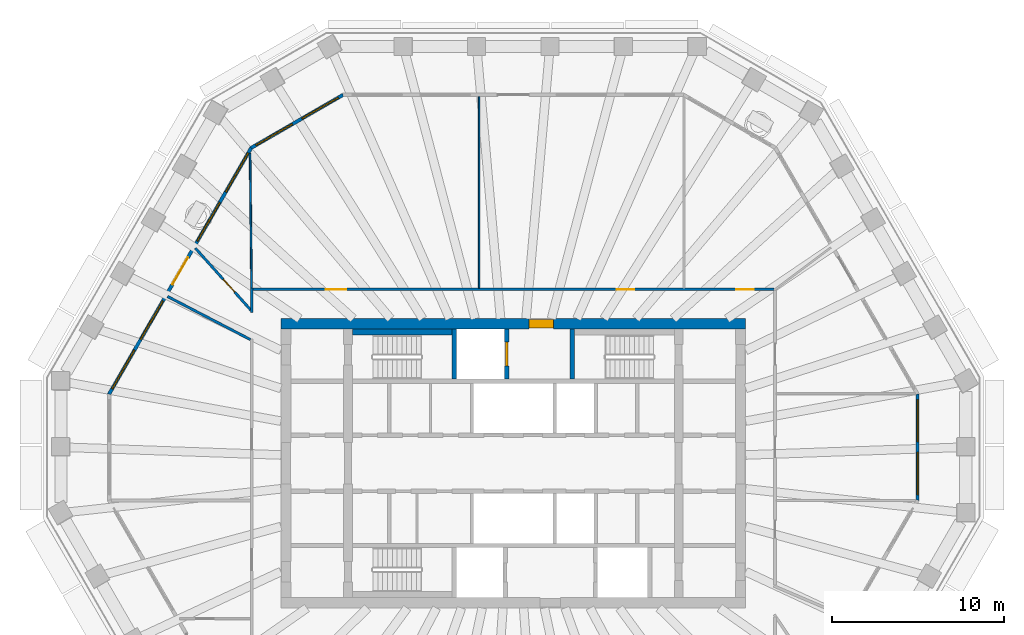
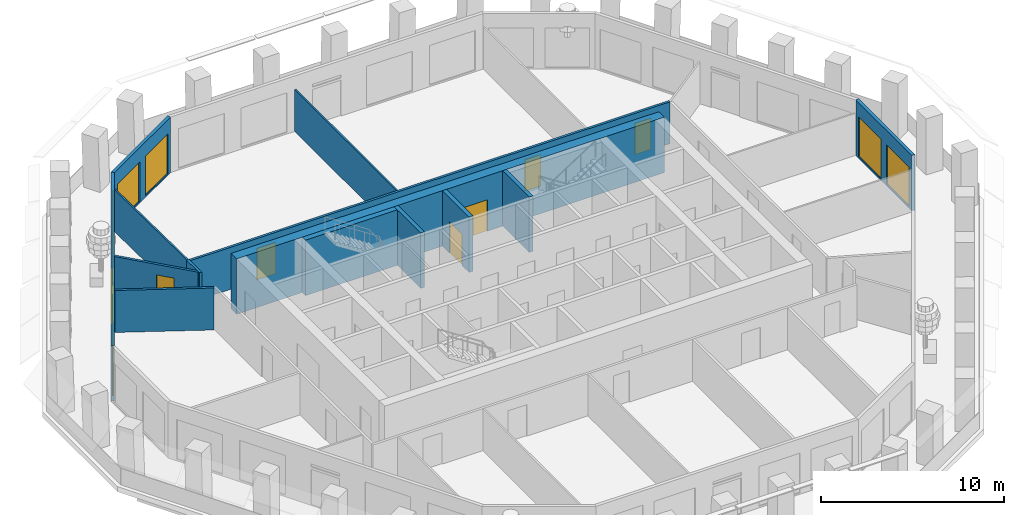
# One storey, part 7 of 12: 14 walls, 9 windows, 7 doors, 16 openings.
"""IFC4 building model written with IfcOpenShell, lengths in metres."""

from ifc_helpers import new_model, si_unit, direction, frame, frame_2d, origin, place, context, subcontext, project, spatial, polyline, rectangle, outline, extrude, material, layer, layer_set, type_object, element, fill, save


model = new_model("IFC4")

# Units and contexts
model_context = context("Model", 3, precision=1e-05, world=origin(), true_north=direction((0.0, 1.0)))
body_context = subcontext(model_context, "Body", "Model", "MODEL_VIEW")
ifc_project = project(units=[si_unit("LENGTHUNIT", "METRE"), si_unit("AREAUNIT", "SQUARE_METRE"), si_unit("VOLUMEUNIT", "CUBIC_METRE"), si_unit("PLANEANGLEUNIT", "RADIAN"), si_unit("MASSUNIT", "GRAM", prefix="KILO")], contexts=[model_context])

# Site, building, storey
site_placement = place(None, origin())
site = spatial("IfcSite", under=ifc_project, at=site_placement, CompositionType="ELEMENT")
building_placement = place(site_placement, origin())
building = spatial("IfcBuilding", under=site, at=building_placement, Name="Frailejon Research Tower", CompositionType="ELEMENT")
storey_placement = place(building_placement, frame((0.0, 0.0, 241.39990234375)))
storey = spatial("IfcBuildingStorey", under=building, at=storey_placement, Name="L52", CompositionType="ELEMENT", Elevation=241.39990234375)

# Wall, opening, door
ifc_material_1 = material(Name="Concrete C60/75", Category="concrete")
ifc_layer_1 = layer(ifc_material_1, 0.60009765625)
ifc_layer_set_1 = layer_set([ifc_layer_1], Name="Core shear wall 600 C60/75")
wall_type_1 = type_object("IfcWallType", Name="Core shear wall 600 C60/75", PredefinedType="SHEAR", material=ifc_layer_set_1)
wall_1_placement = place(storey_placement, frame((-13.5, 8.10009765625, 0.0), z_axis=(0.0, 0.0, 1.0), x_axis=(1.0, 0.0, 0.0)))
wall_1 = element("IfcWall", 1, at=wall_1_placement, inside=storey, type_object=wall_type_1, Name="Core shear wall", PredefinedType="SHEAR", context=body_context, shape_type="SweptSolid", body=[
    extrude(rectangle(XDim=27.0, YDim=0.60009765625, at=frame_2d((13.5, 0.0))), origin(), (0.0, 0.0, 1.0), 3.7001953125),
])
opening_1_placement = place(wall_1_placement, frame((14.425048828125, 0.0, 0.0)))
opening_1 = element("IfcOpeningElement", 2, at=opening_1_placement, cuts=wall_1, Name="Opening D9", PredefinedType="OPENING", context=body_context, shape_type="SweptSolid", body=[
    extrude(rectangle(XDim=1.39990234375, YDim=2.10009765625, at=frame_2d((0.699951171875, 1.050048828125))), frame((0.0, 0.31005859375, 0.0), z_axis=(0.0, -1.0, 0.0), x_axis=(1.0, 0.0, 0.0)), (0.0, 0.0, 1.0), 0.6201171875),
])
ifc_material_2 = material(Name="Steel", Category="steel")
door_type_1 = type_object("IfcDoorType", Name="Goods lobby door", OperationType="DOUBLE_DOOR_SINGLE_SWING", PredefinedType="DOOR", material=ifc_material_2)
door_1_placement = place(opening_1_placement, origin())
door_1 = element("IfcDoor", 3, at=door_1_placement, inside=storey, type_object=door_type_1, Name="Goods lobby door", OperationType="DOUBLE_DOOR_SINGLE_SWING", OverallHeight=2.10009765625, OverallWidth=1.39990234375, PredefinedType="DOOR", context=body_context, shape_type="SweptSolid", body=[
    extrude(rectangle(XDim=1.39990234375, YDim=2.10009765625, at=frame_2d((0.699951171875, 1.050048828125))), frame((0.0, 0.25, 0.0), z_axis=(0.0, -1.0, 0.0), x_axis=(1.0, 0.0, 0.0)), (0.0, 0.0, 1.0), 0.5),
])
fill(opening_1, door_1)

ifc_material_3 = material(Name="Gypsum board and masonry partition", Category="masonry")
ifc_layer_2 = layer(ifc_material_3, 0.14990234375)
ifc_layer_set_2 = layer_set([ifc_layer_2], Name="Corridor wall EI 60, gypsum on steel studs 150")
wall_type_2 = type_object("IfcWallType", Name="Corridor wall EI 60, gypsum on steel studs 150", PredefinedType="PARTITIONING", material=ifc_layer_set_2)
wall_2_placement = place(storey_placement, frame((-18.467041015625, 12.49951171875, 0.0), z_axis=(0.0, 0.0, 1.0), x_axis=(0.667001980811, -0.745055942594, 0.0)))
wall_2 = element("IfcWall", 4, at=wall_2_placement, inside=storey, type_object=wall_type_2, Name="T:IW:L52:001", PredefinedType="PARTITIONING", context=body_context, shape_type="SweptSolid", body=[
    extrude(rectangle(XDim=4.8232421875, YDim=0.14990234375, at=frame_2d((2.41162109375, 0.0))), origin(), (0.0, 0.0, 1.0), 2.800048828125),
])
opening_2_placement = place(wall_2_placement, frame((2.428955078125, 0.0, 0.0)))
opening_2 = element("IfcOpeningElement", 5, at=opening_2_placement, cuts=wall_2, Name="Opening D2026", PredefinedType="OPENING", context=body_context, shape_type="SweptSolid", body=[
    extrude(rectangle(XDim=1.0, YDim=2.10009765625, at=frame_2d((0.5, 1.050048828125))), frame((0.0, 0.0849609375, 0.0), z_axis=(0.0, -1.0, 0.0), x_axis=(1.0, 0.0, 0.0)), (0.0, 0.0, 1.0), 0.169921875),
])
ifc_material_4 = material(Name="Timber door leaf", Category="wood")
door_type_2 = type_object("IfcDoorType", Name="Door single leaf, timber, steel frame 1000", OperationType="NOTDEFINED", PredefinedType="DOOR", material=ifc_material_4)
door_2_placement = place(opening_2_placement, origin())
door_2 = element("IfcDoor", 6, at=door_2_placement, inside=storey, type_object=door_type_2, Name="D2026", OperationType="SINGLE_SWING_RIGHT", OverallHeight=2.10009765625, OverallWidth=1.0, PredefinedType="DOOR", context=body_context, shape_type="SweptSolid", body=[
    extrude(rectangle(XDim=1.0, YDim=2.10009765625, at=frame_2d((0.5, 1.050048828125))), frame((0.0, 0.02490234375, 0.0), z_axis=(0.0, -1.0, 0.0), x_axis=(1.0, 0.0, 0.0)), (0.0, 0.0, 1.0), 0.050048828125),
])
fill(opening_2, door_2)

# Wall
wall_3_placement = place(storey_placement, frame((-20.0869140625, 9.69384765625, 0.0), z_axis=(0.0, 0.0, 1.0), x_axis=(0.887012228778, -0.461745932303, 0.0)))
element("IfcWall", 7, at=wall_3_placement, inside=storey, type_object=wall_type_2, Name="T:IW:L52:002", PredefinedType="PARTITIONING", context=body_context, shape_type="SweptSolid", body=[
    extrude(rectangle(XDim=5.434326171875, YDim=0.14990234375, at=frame_2d((2.71728515625, 0.0))), origin(), (0.0, 0.0, 1.0), 2.800048828125),
])

# Wall, openings, doors
wall_4_placement = place(storey_placement, frame((-15.125, 10.10009765625, 0.0), z_axis=(0.0, 0.0, 1.0), x_axis=(1.0, 0.0, 0.0)))
wall_4 = element("IfcWall", 8, at=wall_4_placement, inside=storey, type_object=wall_type_2, Name="T:IW:L52:005", PredefinedType="PARTITIONING", context=body_context, shape_type="SweptSolid", body=[
    extrude(rectangle(XDim=30.27490234375, YDim=0.14990234375, at=frame_2d((15.137451171875, 0.0))), origin(), (0.0, 0.0, 1.0), 2.800048828125),
])
opening_3_placement = place(wall_4_placement, frame((28.07958984375, 0.0, 0.0)))
opening_3 = element("IfcOpeningElement", 9, at=opening_3_placement, cuts=wall_4, Name="Opening D2023", PredefinedType="OPENING", context=body_context, shape_type="SweptSolid", body=[
    extrude(rectangle(XDim=1.0, YDim=2.10009765625, at=frame_2d((0.5, 1.050048828125))), frame((0.0, 0.0849609375, 0.0), z_axis=(0.0, -1.0, 0.0), x_axis=(1.0, 0.0, 0.0)), (0.0, 0.0, 1.0), 0.169921875),
])
opening_4_placement = place(wall_4_placement, frame((21.142822265625, 0.0, 0.0)))
opening_4 = element("IfcOpeningElement", 10, at=opening_4_placement, cuts=wall_4, Name="Opening D2024", PredefinedType="OPENING", context=body_context, shape_type="SweptSolid", body=[
    extrude(rectangle(XDim=1.0, YDim=2.10009765625, at=frame_2d((0.5, 1.050048828125))), frame((0.0, 0.0849609375, 0.0), z_axis=(0.0, -1.0, 0.0), x_axis=(1.0, 0.0, 0.0)), (0.0, 0.0, 1.0), 0.169921875),
])
opening_5_placement = place(wall_4_placement, frame((4.235595703125, 0.0, 0.0)))
opening_5 = element("IfcOpeningElement", 11, at=opening_5_placement, cuts=wall_4, Name="Opening D2025", PredefinedType="OPENING", context=body_context, shape_type="SweptSolid", body=[
    extrude(rectangle(XDim=1.199951171875, YDim=2.10009765625, at=frame_2d((0.60009765625, 1.050048828125))), frame((0.0, 0.0849609375, 0.0), z_axis=(0.0, -1.0, 0.0), x_axis=(1.0, 0.0, 0.0)), (0.0, 0.0, 1.0), 0.169921875),
])
door_3_placement = place(opening_3_placement, origin())
door_3 = element("IfcDoor", 12, at=door_3_placement, inside=storey, type_object=door_type_2, Name="D2023", OperationType="SINGLE_SWING_LEFT", OverallHeight=2.10009765625, OverallWidth=1.0, PredefinedType="DOOR", context=body_context, shape_type="SweptSolid", body=[
    extrude(rectangle(XDim=1.0, YDim=2.10009765625, at=frame_2d((0.5, 1.050048828125))), frame((0.0, 0.02490234375, 0.0), z_axis=(0.0, -1.0, 0.0), x_axis=(1.0, 0.0, 0.0)), (0.0, 0.0, 1.0), 0.050048828125),
])
fill(opening_3, door_3)
door_4_placement = place(opening_4_placement, origin())
door_4 = element("IfcDoor", 13, at=door_4_placement, inside=storey, type_object=door_type_2, Name="D2024", OperationType="SINGLE_SWING_LEFT", OverallHeight=2.10009765625, OverallWidth=1.0, PredefinedType="DOOR", context=body_context, shape_type="SweptSolid", body=[
    extrude(rectangle(XDim=1.0, YDim=2.10009765625, at=frame_2d((0.5, 1.050048828125))), frame((0.0, 0.02490234375, 0.0), z_axis=(0.0, -1.0, 0.0), x_axis=(1.0, 0.0, 0.0)), (0.0, 0.0, 1.0), 0.050048828125),
])
fill(opening_4, door_4)
ifc_material_5 = material(Name="Timber door leaf", Category="wood")
door_type_3 = type_object("IfcDoorType", Name="Door single leaf, timber, steel frame 1200", OperationType="NOTDEFINED", PredefinedType="DOOR", material=ifc_material_5)
door_5_placement = place(opening_5_placement, origin())
door_5 = element("IfcDoor", 14, at=door_5_placement, inside=storey, type_object=door_type_3, Name="D2025", OperationType="DOUBLE_DOOR_SINGLE_SWING", OverallHeight=2.10009765625, OverallWidth=1.199951171875, PredefinedType="DOOR", context=body_context, shape_type="SweptSolid", body=[
    extrude(rectangle(XDim=1.199951171875, YDim=2.10009765625, at=frame_2d((0.60009765625, 1.050048828125))), frame((0.0, 0.02490234375, 0.0), z_axis=(0.0, -1.0, 0.0), x_axis=(1.0, 0.0, 0.0)), (0.0, 0.0, 1.0), 0.050048828125),
])
fill(opening_5, door_5)

# Walls
wall_5_placement = place(storey_placement, frame((-15.199951171875, 8.77490234375, 0.0), z_axis=(0.0, 0.0, 1.0), x_axis=(0.0, 1.0, 0.0)))
element("IfcWall", 15, at=wall_5_placement, inside=storey, type_object=wall_type_2, Name="T:IW:L52:007", PredefinedType="PARTITIONING", context=body_context, shape_type="SweptSolid", body=[
    extrude(rectangle(XDim=1.400146484375, YDim=0.14990234375, at=frame_2d((0.7001953125, 0.0))), origin(), (0.0, 0.0, 1.0), 2.800048828125),
])
ifc_material_6 = material(Name="Gypsum board and masonry partition", Category="masonry")
ifc_layer_3 = layer(ifc_material_6, 0.10009765625)
ifc_layer_set_3 = layer_set([ifc_layer_3], Name="Partition, gypsum on steel studs 100")
wall_type_3 = type_object("IfcWallType", Name="Partition, gypsum on steel studs 100", PredefinedType="PARTITIONING", material=ifc_layer_set_3)
wall_6_placement = place(storey_placement, frame((-1.983642578125, 10.175048828125, 0.0), z_axis=(0.0, 0.0, 1.0), x_axis=(0.0, 1.0, 0.0)))
element("IfcWall", 16, at=wall_6_placement, inside=storey, type_object=wall_type_3, Name="T:IW:L52:018", PredefinedType="PARTITIONING", context=body_context, shape_type="SweptSolid", body=[
    extrude(rectangle(XDim=11.125, YDim=0.10009765625, at=frame_2d((5.5625, 0.0))), origin(), (0.0, 0.0, 1.0), 2.800048828125),
])
wall_7_placement = place(storey_placement, frame((-15.288818359375, 18.00439453125, 0.0), z_axis=(0.0, 0.0, 1.0), x_axis=(0.011228027955, -0.999936963707, 0.0)))
element("IfcWall", 17, at=wall_7_placement, inside=storey, type_object=wall_type_3, Name="T:IW:L52:019", PredefinedType="PARTITIONING", context=body_context, shape_type="SweptSolid", body=[
    extrude(rectangle(XDim=7.97998046875, YDim=0.10009765625, at=frame_2d((3.989990234375, 0.0))), origin(), (0.0, 0.0, 1.0), 2.800048828125),
])
ifc_material_7 = material(Name="Concrete C60/75", Category="concrete")
ifc_layer_4 = layer(ifc_material_7, 0.25)
ifc_layer_set_4 = layer_set([ifc_layer_4], Name="Shaft wall 250 C60/75")
wall_type_4 = type_object("IfcWallType", Name="Shaft wall 250 C60/75", PredefinedType="SOLIDWALL", material=ifc_layer_set_4)
wall_8_placement = place(storey_placement, frame((-3.425048828125, 4.89990234375, 0.0), z_axis=(0.0, 0.0, 1.0), x_axis=(0.0, 1.0, 0.0)))
element("IfcWall", 18, at=wall_8_placement, inside=storey, type_object=wall_type_4, Name="Shaft wall", PredefinedType="SOLIDWALL", context=body_context, shape_type="SweptSolid", body=[
    extrude(rectangle(XDim=2.900146484375, YDim=0.25, at=frame_2d((1.4501953125, 0.0))), origin(), (0.0, 0.0, 1.0), 3.7001953125),
])

# Wall, opening, door
wall_9_placement = place(storey_placement, frame((-0.375, 4.89990234375, 0.0), z_axis=(0.0, 0.0, 1.0), x_axis=(0.0, 1.0, 0.0)))
wall_9 = element("IfcWall", 19, at=wall_9_placement, inside=storey, type_object=wall_type_4, Name="Shaft wall", PredefinedType="SOLIDWALL", context=body_context, shape_type="SweptSolid", body=[
    extrude(rectangle(XDim=2.900146484375, YDim=0.25, at=frame_2d((1.4501953125, 0.0))), origin(), (0.0, 0.0, 1.0), 3.7001953125),
])
opening_6_placement = place(wall_9_placement, frame((0.75, 0.0, 0.0)))
opening_6 = element("IfcOpeningElement", 20, at=opening_6_placement, cuts=wall_9, Name="Opening LD2", PredefinedType="OPENING", context=body_context, shape_type="SweptSolid", body=[
    extrude(rectangle(XDim=1.39990234375, YDim=2.10009765625, at=frame_2d((0.699951171875, 1.050048828125))), frame((0.0, 0.135009765625, 0.0), z_axis=(0.0, -1.0, 0.0), x_axis=(1.0, 0.0, 0.0)), (0.0, 0.0, 1.0), 0.27001953125),
])
ifc_material_8 = material(Name="Stainless steel", Category="steel")
door_type_4 = type_object("IfcDoorType", Name="Goods landing door", OperationType="DOUBLE_DOOR_SLIDING", PredefinedType="DOOR", material=ifc_material_8)
door_6_placement = place(opening_6_placement, origin())
door_6 = element("IfcDoor", 21, at=door_6_placement, inside=storey, type_object=door_type_4, Name="Lift landing door", OperationType="DOUBLE_DOOR_SLIDING", OverallHeight=2.10009765625, OverallWidth=1.39990234375, PredefinedType="DOOR", context=body_context, shape_type="SweptSolid", body=[
    extrude(rectangle(XDim=1.39990234375, YDim=2.10009765625, at=frame_2d((0.699951171875, 1.050048828125))), frame((0.0, 0.074951171875, 0.0), z_axis=(0.0, -1.0, 0.0), x_axis=(1.0, 0.0, 0.0)), (0.0, 0.0, 1.0), 0.14990234375),
])
fill(opening_6, door_6)

# Walls
wall_10_placement = place(storey_placement, frame((3.425048828125, 4.89990234375, 0.0), z_axis=(0.0, 0.0, 1.0), x_axis=(0.0, 1.0, 0.0)))
element("IfcWall", 22, at=wall_10_placement, inside=storey, type_object=wall_type_4, Name="Shaft wall", PredefinedType="SOLIDWALL", context=body_context, shape_type="SweptSolid", body=[
    extrude(rectangle(XDim=2.900146484375, YDim=0.25, at=frame_2d((1.4501953125, 0.0))), origin(), (0.0, 0.0, 1.0), 3.7001953125),
])
ifc_material_9 = material(Name="Concrete C60/75", Category="concrete")
ifc_layer_5 = layer(ifc_material_9, 0.35009765625)
ifc_layer_set_5 = layer_set([ifc_layer_5], Name="Shaft wall 350 C60/75")
wall_type_5 = type_object("IfcWallType", Name="Shaft wall 350 C60/75", PredefinedType="SOLIDWALL", material=ifc_layer_set_5)
wall_11_placement = place(storey_placement, frame((-9.35009765625, 7.625, 0.0), z_axis=(0.0, 0.0, 1.0), x_axis=(1.0, 0.0, 0.0)))
element("IfcWall", 23, at=wall_11_placement, inside=storey, type_object=wall_type_5, Name="Shaft wall", PredefinedType="SOLIDWALL", context=body_context, shape_type="SweptSolid", body=[
    extrude(rectangle(XDim=5.800048828125, YDim=0.35009765625, at=frame_2d((2.89990234375, 0.0))), origin(), (0.0, 0.0, 1.0), 3.7001953125),
])

# Wall, openings, windows
ifc_material_10 = material(Name="Concrete C40/50 precast window wall panel", Category="concrete")
ifc_layer_6 = layer(ifc_material_10, 0.199951171875)
ifc_layer_set_6 = layer_set([ifc_layer_6], Name="Window wall 200")
wall_type_6 = type_object("IfcWallType", Name="Window wall 200", PredefinedType="SOLIDWALL", material=ifc_layer_set_6)
wall_12_placement = place(storey_placement, frame((23.478759765625, -2.1337890625, 0.0), z_axis=(0.0, 0.0, 1.0), x_axis=(0.0, 1.0, 0.0)))
wall_12 = element("IfcWall", 24, at=wall_12_placement, inside=storey, type_object=wall_type_6, Name="Exterior wall L52", PredefinedType="SOLIDWALL", context=body_context, shape_type="SweptSolid", body=[
    extrude(outline(polyline([(-0.02685546875, -0.10009765625), (1.007568359375, -0.10009765625), (2.0419921875, -0.10009765625), (3.07666015625, -0.10009765625), (4.111083984375, -0.10009765625), (5.1455078125, -0.10009765625), (6.179931640625, -0.10009765625), (6.126220703125, 0.10009765625), (5.109619140625, 0.10009765625), (4.093017578125, 0.10009765625), (3.07666015625, 0.10009765625), (2.06005859375, 0.10009765625), (1.04345703125, 0.10009765625), (0.02685546875, 0.10009765625), (-0.02685546875, -0.10009765625)])), origin(), (0.0, 0.0, 1.0), 3.7001953125),
])
opening_7_placement = place(wall_12_placement, frame((0.313232421875, 0.0, 0.10009765625)))
opening_7 = element("IfcOpeningElement", 25, at=opening_7_placement, cuts=wall_12, Name="Opening W17", PredefinedType="OPENING", context=body_context, shape_type="SweptSolid", body=[
    extrude(rectangle(XDim=2.449951171875, YDim=2.64990234375, at=frame_2d((1.22509765625, 1.324951171875))), frame((0.0, 0.10986328125, 0.0), z_axis=(0.0, -1.0, 0.0), x_axis=(1.0, 0.0, 0.0)), (0.0, 0.0, 1.0), 0.219970703125),
])
opening_8_placement = place(wall_12_placement, frame((3.3896484375, 0.0, 0.10009765625)))
opening_8 = element("IfcOpeningElement", 26, at=opening_8_placement, cuts=wall_12, Name="Opening W17", PredefinedType="OPENING", context=body_context, shape_type="SweptSolid", body=[
    extrude(rectangle(XDim=2.449951171875, YDim=2.64990234375, at=frame_2d((1.22509765625, 1.324951171875))), frame((0.0, 0.10986328125, 0.0), z_axis=(0.0, -1.0, 0.0), x_axis=(1.0, 0.0, 0.0)), (0.0, 0.0, 1.0), 0.219970703125),
])
ifc_material_11 = material(Name="Aluminium framed double glazing", Category="aluminium")
window_type_1 = type_object("IfcWindowType", Name="Window 2450x2650", PartitioningType="SINGLE_PANEL", PredefinedType="WINDOW", material=ifc_material_11)
window_1_placement = place(opening_7_placement, origin())
window_1 = element("IfcWindow", 27, at=window_1_placement, inside=storey, type_object=window_type_1, Name="Window L52", OverallHeight=2.64990234375, OverallWidth=2.449951171875, PartitioningType="SINGLE_PANEL", PredefinedType="WINDOW", context=body_context, shape_type="SweptSolid", body=[
    extrude(rectangle(XDim=2.449951171875, YDim=2.64990234375, at=frame_2d((1.22509765625, 1.324951171875))), frame((0.0, 0.030029296875, 0.0), z_axis=(0.0, -1.0, 0.0), x_axis=(1.0, 0.0, 0.0)), (0.0, 0.0, 1.0), 0.06005859375),
])
fill(opening_7, window_1)
window_2_placement = place(opening_8_placement, origin())
window_2 = element("IfcWindow", 28, at=window_2_placement, inside=storey, type_object=window_type_1, Name="Window L52", OverallHeight=2.64990234375, OverallWidth=2.449951171875, PartitioningType="SINGLE_PANEL", PredefinedType="WINDOW", context=body_context, shape_type="SweptSolid", body=[
    extrude(rectangle(XDim=2.449951171875, YDim=2.64990234375, at=frame_2d((1.22509765625, 1.324951171875))), frame((0.0, 0.030029296875, 0.0), z_axis=(0.0, -1.0, 0.0), x_axis=(1.0, 0.0, 0.0)), (0.0, 0.0, 1.0), 0.06005859375),
])
fill(opening_8, window_2)

wall_13_placement = place(storey_placement, frame((-9.8916015625, 21.39990234375, 0.0), z_axis=(0.0, 0.0, 1.0), x_axis=(-0.866029647142, -0.499992650217, 0.0)))
wall_13 = element("IfcWall", 29, at=wall_13_placement, inside=storey, type_object=wall_type_6, Name="Exterior wall L52", PredefinedType="SOLIDWALL", context=body_context, shape_type="SweptSolid", body=[
    extrude(outline(polyline([(-0.02685546875, -0.10009765625), (1.007568359375, -0.10009765625), (2.0419921875, -0.10009765625), (3.076416015625, -0.10009765625), (4.11083984375, -0.10009765625), (5.145263671875, -0.10009765625), (6.1796875, -0.10009765625), (6.1259765625, 0.10009765625), (5.109375, 0.10009765625), (4.093017578125, 0.10009765625), (3.076416015625, 0.10009765625), (2.059814453125, 0.10009765625), (1.04345703125, 0.10009765625), (0.02685546875, 0.10009765625), (-0.02685546875, -0.10009765625)])), origin(), (0.0, 0.0, 1.0), 3.7001953125),
])
opening_9_placement = place(wall_13_placement, frame((0.313232421875, 0.0, 0.10009765625)))
opening_9 = element("IfcOpeningElement", 30, at=opening_9_placement, cuts=wall_13, Name="Opening W17", PredefinedType="OPENING", context=body_context, shape_type="SweptSolid", body=[
    extrude(rectangle(XDim=2.449951171875, YDim=2.64990234375, at=frame_2d((1.22509765625, 1.324951171875))), frame((0.0, 0.10986328125, 0.0), z_axis=(0.0, -1.0, 0.0), x_axis=(1.0, 0.0, 0.0)), (0.0, 0.0, 1.0), 0.219970703125),
])
opening_10_placement = place(wall_13_placement, frame((3.3896484375, 0.0, 0.10009765625)))
opening_10 = element("IfcOpeningElement", 31, at=opening_10_placement, cuts=wall_13, Name="Opening W17", PredefinedType="OPENING", context=body_context, shape_type="SweptSolid", body=[
    extrude(rectangle(XDim=2.449951171875, YDim=2.64990234375, at=frame_2d((1.22509765625, 1.324951171875))), frame((0.0, 0.10986328125, 0.0), z_axis=(0.0, -1.0, 0.0), x_axis=(1.0, 0.0, 0.0)), (0.0, 0.0, 1.0), 0.219970703125),
])
window_3_placement = place(opening_9_placement, origin())
window_3 = element("IfcWindow", 32, at=window_3_placement, inside=storey, type_object=window_type_1, Name="Window L52", OverallHeight=2.64990234375, OverallWidth=2.449951171875, PartitioningType="SINGLE_PANEL", PredefinedType="WINDOW", context=body_context, shape_type="SweptSolid", body=[
    extrude(rectangle(XDim=2.449951171875, YDim=2.64990234375, at=frame_2d((1.22509765625, 1.324951171875))), frame((0.0, 0.030029296875, 0.0), z_axis=(0.0, -1.0, 0.0), x_axis=(1.0, 0.0, 0.0)), (0.0, 0.0, 1.0), 0.06005859375),
])
fill(opening_9, window_3)
window_4_placement = place(opening_10_placement, origin())
window_4 = element("IfcWindow", 33, at=window_4_placement, inside=storey, type_object=window_type_1, Name="Window L52", OverallHeight=2.64990234375, OverallWidth=2.449951171875, PartitioningType="SINGLE_PANEL", PredefinedType="WINDOW", context=body_context, shape_type="SweptSolid", body=[
    extrude(rectangle(XDim=2.449951171875, YDim=2.64990234375, at=frame_2d((1.22509765625, 1.324951171875))), frame((0.0, 0.030029296875, 0.0), z_axis=(0.0, -1.0, 0.0), x_axis=(1.0, 0.0, 0.0)), (0.0, 0.0, 1.0), 0.06005859375),
])
fill(opening_10, window_4)

# Wall, openings, door, windows
wall_14_placement = place(storey_placement, frame((-15.22021484375, 18.323486328125, 0.0), z_axis=(0.0, 0.0, 1.0), x_axis=(-0.500000529106, -0.866025098304, 0.0)))
wall_14 = element("IfcWall", 34, at=wall_14_placement, inside=storey, type_object=wall_type_6, Name="Exterior wall L52", PredefinedType="SOLIDWALL", context=body_context, shape_type="SweptSolid", body=[
    extrude(outline(polyline([(-0.02685546875, -0.10009765625), (1.0087890625, -0.10009765625), (2.04443359375, -0.10009765625), (3.080078125, -0.10009765625), (4.11572265625, -0.10009765625), (5.151611328125, -0.10009765625), (6.187255859375, -0.10009765625), (7.222900390625, -0.10009765625), (8.258544921875, -0.10009765625), (9.294189453125, -0.10009765625), (10.329833984375, -0.10009765625), (11.365478515625, -0.10009765625), (12.4013671875, -0.10009765625), (13.43701171875, -0.10009765625), (14.47265625, -0.10009765625), (15.50830078125, -0.10009765625), (16.5439453125, -0.10009765625), (16.490234375, 0.10009765625), (15.461181640625, 0.10009765625), (14.432373046875, 0.10009765625), (13.4033203125, 0.10009765625), (12.37451171875, 0.10009765625), (11.345458984375, 0.10009765625), (10.31640625, 0.10009765625), (9.28759765625, 0.10009765625), (8.258544921875, 0.10009765625), (7.2294921875, 0.10009765625), (6.20068359375, 0.10009765625), (5.171630859375, 0.10009765625), (4.142578125, 0.10009765625), (3.11376953125, 0.10009765625), (2.084716796875, 0.10009765625), (1.055908203125, 0.10009765625), (0.02685546875, 0.10009765625), (-0.02685546875, -0.10009765625)])), origin(), (0.0, 0.0, 1.0), 3.7001953125),
])
opening_11_placement = place(wall_14_placement, frame((0.351806640625, 0.0, 0.10009765625)))
opening_11 = element("IfcOpeningElement", 35, at=opening_11_placement, cuts=wall_14, Name="Opening W18", PredefinedType="OPENING", context=body_context, shape_type="SweptSolid", body=[
    extrude(rectangle(XDim=2.60009765625, YDim=2.64990234375, at=frame_2d((1.300048828125, 1.324951171875))), frame((0.0, 0.10986328125, 0.0), z_axis=(0.0, -1.0, 0.0), x_axis=(1.0, 0.0, 0.0)), (0.0, 0.0, 1.0), 0.219970703125),
])
opening_12_placement = place(wall_14_placement, frame((3.6552734375, 0.0, 0.10009765625)))
opening_12 = element("IfcOpeningElement", 36, at=opening_12_placement, cuts=wall_14, Name="Opening W18", PredefinedType="OPENING", context=body_context, shape_type="SweptSolid", body=[
    extrude(rectangle(XDim=2.60009765625, YDim=2.64990234375, at=frame_2d((1.300048828125, 1.324951171875))), frame((0.0, 0.10986328125, 0.0), z_axis=(0.0, -1.0, 0.0), x_axis=(1.0, 0.0, 0.0)), (0.0, 0.0, 1.0), 0.219970703125),
])
opening_13_placement = place(wall_14_placement, frame((7.358642578125, 0.0, 0.0)))
opening_13 = element("IfcOpeningElement", 37, at=opening_13_placement, cuts=wall_14, Name="Opening LG52-3", PredefinedType="OPENING", context=body_context, shape_type="SweptSolid", body=[
    extrude(rectangle(XDim=1.800048828125, YDim=2.39990234375, at=frame_2d((0.89990234375, 1.199951171875))), frame((0.0, 0.10986328125, 0.0), z_axis=(0.0, -1.0, 0.0), x_axis=(1.0, 0.0, 0.0)), (0.0, 0.0, 1.0), 0.219970703125),
])
opening_14_placement = place(wall_14_placement, frame((7.358642578125, 0.0, 2.550048828125)))
opening_14 = element("IfcOpeningElement", 38, at=opening_14_placement, cuts=wall_14, Name="Opening W19", PredefinedType="OPENING", context=body_context, shape_type="SweptSolid", body=[
    extrude(rectangle(XDim=1.800048828125, YDim=0.199951171875, at=frame_2d((0.89990234375, 0.10009765625))), frame((0.0, 0.10986328125, 0.0), z_axis=(0.0, -1.0, 0.0), x_axis=(1.0, 0.0, 0.0)), (0.0, 0.0, 1.0), 0.219970703125),
])
opening_15_placement = place(wall_14_placement, frame((10.261962890625, 0.0, 0.10009765625)))
opening_15 = element("IfcOpeningElement", 39, at=opening_15_placement, cuts=wall_14, Name="Opening W18", PredefinedType="OPENING", context=body_context, shape_type="SweptSolid", body=[
    extrude(rectangle(XDim=2.60009765625, YDim=2.64990234375, at=frame_2d((1.300048828125, 1.324951171875))), frame((0.0, 0.10986328125, 0.0), z_axis=(0.0, -1.0, 0.0), x_axis=(1.0, 0.0, 0.0)), (0.0, 0.0, 1.0), 0.219970703125),
])
opening_16_placement = place(wall_14_placement, frame((13.5654296875, 0.0, 0.10009765625)))
opening_16 = element("IfcOpeningElement", 40, at=opening_16_placement, cuts=wall_14, Name="Opening W18", PredefinedType="OPENING", context=body_context, shape_type="SweptSolid", body=[
    extrude(rectangle(XDim=2.60009765625, YDim=2.64990234375, at=frame_2d((1.300048828125, 1.324951171875))), frame((0.0, 0.10986328125, 0.0), z_axis=(0.0, -1.0, 0.0), x_axis=(1.0, 0.0, 0.0)), (0.0, 0.0, 1.0), 0.219970703125),
])
ifc_material_12 = material(Name="Aluminium framed glazed door leaf", Category="aluminium")
door_type_5 = type_object("IfcDoorType", Name="Loggia door 1800x2400", OperationType="DOUBLE_DOOR_SINGLE_SWING", PredefinedType="DOOR", material=ifc_material_12)
door_7_placement = place(opening_13_placement, origin())
door_7 = element("IfcDoor", 41, at=door_7_placement, inside=storey, type_object=door_type_5, Name="Door LG52-3", OperationType="DOUBLE_DOOR_SINGLE_SWING", OverallHeight=2.39990234375, OverallWidth=1.800048828125, PredefinedType="DOOR", context=body_context, shape_type="SweptSolid", body=[
    extrude(rectangle(XDim=1.800048828125, YDim=2.39990234375, at=frame_2d((0.89990234375, 1.199951171875))), frame((0.0, 0.02490234375, 0.0), z_axis=(0.0, -1.0, 0.0), x_axis=(1.0, 0.0, 0.0)), (0.0, 0.0, 1.0), 0.050048828125),
])
fill(opening_13, door_7)
ifc_material_13 = material(Name="Aluminium framed double glazing", Category="aluminium")
window_type_2 = type_object("IfcWindowType", Name="Window 1800x200", PartitioningType="SINGLE_PANEL", PredefinedType="WINDOW", material=ifc_material_13)
window_5_placement = place(opening_14_placement, origin())
window_5 = element("IfcWindow", 42, at=window_5_placement, inside=storey, type_object=window_type_2, Name="Window L52", OverallHeight=0.199951171875, OverallWidth=1.800048828125, PartitioningType="SINGLE_PANEL", PredefinedType="WINDOW", context=body_context, shape_type="SweptSolid", body=[
    extrude(rectangle(XDim=1.800048828125, YDim=0.199951171875, at=frame_2d((0.89990234375, 0.10009765625))), frame((0.0, 0.030029296875, 0.0), z_axis=(0.0, -1.0, 0.0), x_axis=(1.0, 0.0, 0.0)), (0.0, 0.0, 1.0), 0.06005859375),
])
fill(opening_14, window_5)
ifc_material_14 = material(Name="Aluminium framed double glazing", Category="aluminium")
window_type_3 = type_object("IfcWindowType", Name="Window 2600x2650", PartitioningType="SINGLE_PANEL", PredefinedType="WINDOW", material=ifc_material_14)
window_6_placement = place(opening_11_placement, origin())
window_6 = element("IfcWindow", 43, at=window_6_placement, inside=storey, type_object=window_type_3, Name="Window L52", OverallHeight=2.64990234375, OverallWidth=2.60009765625, PartitioningType="SINGLE_PANEL", PredefinedType="WINDOW", context=body_context, shape_type="SweptSolid", body=[
    extrude(rectangle(XDim=2.60009765625, YDim=2.64990234375, at=frame_2d((1.300048828125, 1.324951171875))), frame((0.0, 0.030029296875, 0.0), z_axis=(0.0, -1.0, 0.0), x_axis=(1.0, 0.0, 0.0)), (0.0, 0.0, 1.0), 0.06005859375),
])
fill(opening_11, window_6)
window_7_placement = place(opening_12_placement, origin())
window_7 = element("IfcWindow", 44, at=window_7_placement, inside=storey, type_object=window_type_3, Name="Window L52", OverallHeight=2.64990234375, OverallWidth=2.60009765625, PartitioningType="SINGLE_PANEL", PredefinedType="WINDOW", context=body_context, shape_type="SweptSolid", body=[
    extrude(rectangle(XDim=2.60009765625, YDim=2.64990234375, at=frame_2d((1.300048828125, 1.324951171875))), frame((0.0, 0.030029296875, 0.0), z_axis=(0.0, -1.0, 0.0), x_axis=(1.0, 0.0, 0.0)), (0.0, 0.0, 1.0), 0.06005859375),
])
fill(opening_12, window_7)
window_8_placement = place(opening_15_placement, origin())
window_8 = element("IfcWindow", 45, at=window_8_placement, inside=storey, type_object=window_type_3, Name="Window L52", OverallHeight=2.64990234375, OverallWidth=2.60009765625, PartitioningType="SINGLE_PANEL", PredefinedType="WINDOW", context=body_context, shape_type="SweptSolid", body=[
    extrude(rectangle(XDim=2.60009765625, YDim=2.64990234375, at=frame_2d((1.300048828125, 1.324951171875))), frame((0.0, 0.030029296875, 0.0), z_axis=(0.0, -1.0, 0.0), x_axis=(1.0, 0.0, 0.0)), (0.0, 0.0, 1.0), 0.06005859375),
])
fill(opening_15, window_8)
window_9_placement = place(opening_16_placement, origin())
window_9 = element("IfcWindow", 46, at=window_9_placement, inside=storey, type_object=window_type_3, Name="Window L52", OverallHeight=2.64990234375, OverallWidth=2.60009765625, PartitioningType="SINGLE_PANEL", PredefinedType="WINDOW", context=body_context, shape_type="SweptSolid", body=[
    extrude(rectangle(XDim=2.60009765625, YDim=2.64990234375, at=frame_2d((1.300048828125, 1.324951171875))), frame((0.0, 0.030029296875, 0.0), z_axis=(0.0, -1.0, 0.0), x_axis=(1.0, 0.0, 0.0)), (0.0, 0.0, 1.0), 0.06005859375),
])
fill(opening_16, window_9)

save(model, "model.ifc")
